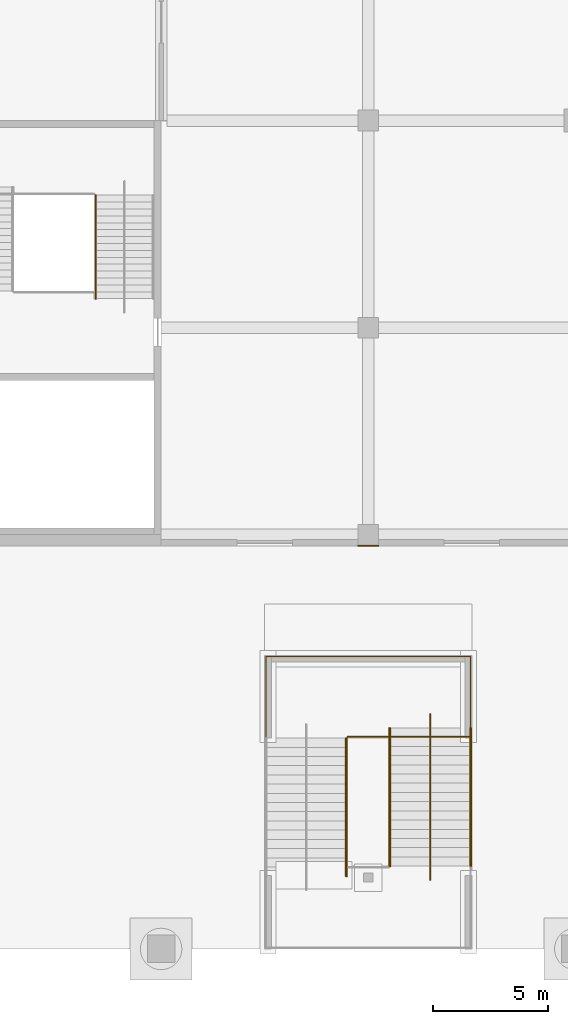
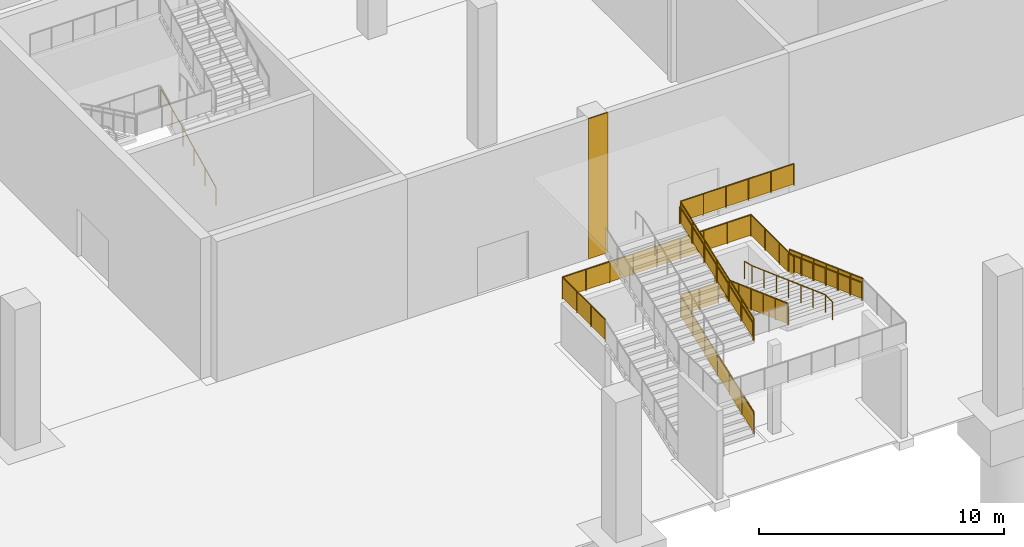
# One storey, part 52 of 92: 12 railings, 1 covering.
"""IFC4 building model written with IfcOpenShell, lengths in metres."""

from ifc_helpers import new_model, si_unit, direction, frame, origin, origin_2d, place, context, subcontext, project, spatial, polyline, circle, outline, extrude, material, layer, layer_set, type_object, element, save


model = new_model("IFC4")

# Units and contexts
model_context = context("Model", 3, precision=1e-05, world=origin(), true_north=direction((0.0, 1.0)))
body_context = subcontext(model_context, "Body", "Model", "MODEL_VIEW")
ifc_project = project(units=[si_unit("LENGTHUNIT", "METRE"), si_unit("AREAUNIT", "SQUARE_METRE"), si_unit("VOLUMEUNIT", "CUBIC_METRE"), si_unit("PLANEANGLEUNIT", "RADIAN"), si_unit("MASSUNIT", "GRAM", prefix="KILO")], contexts=[model_context])

# Site, building, storey
site_placement = place(None, origin())
site = spatial("IfcSite", under=ifc_project, at=site_placement, CompositionType="ELEMENT")
building_placement = place(site_placement, origin())
building = spatial("IfcBuilding", under=site, at=building_placement, Name="Silverbay Arena", CompositionType="ELEMENT")
storey_placement = place(building_placement, origin())
storey = spatial("IfcBuildingStorey", under=building, at=storey_placement, Name="L00", CompositionType="ELEMENT", Elevation=0.0)

# Covering
ifc_material_1 = material(Name="Aluminium composite cladding", Category="aluminium")
ifc_layer = layer(ifc_material_1, 0.050048828125)
ifc_layer_set = layer_set([ifc_layer], Name="Aluminium composite cladding")
covering_type = type_object("IfcCoveringType", Name="Column cladding 50", PredefinedType="CLADDING", material=ifc_layer_set)
covering_placement = place(storey_placement, origin())
element("IfcCovering", 1, at=covering_placement, inside=storey, type_object=covering_type, Name="South column cladding L00 46", PredefinedType="CLADDING", context=body_context, shape_type="SweptSolid", body=[
    extrude(outline(polyline([(44.550048828125, 17.5), (45.449951171875, 17.5), (45.449951171875, 17.550048828125), (44.550048828125, 17.550048828125), (44.550048828125, 17.5)])), origin(), (0.0, 0.0, 1.0), 7.0),
])

# Railings
ifc_material_2 = material(Name="Stainless steel", Category="steel")
railing_type_1 = type_object("IfcRailingType", Name="Stair guard 1100", PredefinedType="GUARDRAIL", material=ifc_material_2)
railing_1_placement = place(storey_placement, frame((44.074951171875, 3.162109375, 0.145751953125)))
element("IfcRailing", 2, at=railing_1_placement, inside=storey, type_object=railing_type_1, Name="Deck stair DS3 flight 1 guard right", PredefinedType="GUARDRAIL", context=body_context, shape_type="SweptSolid", body=[
    extrude(circle(Radius=0.02392578125, at=origin_2d()), frame((0.0, 0.0, 1.076171875), z_axis=(0.0, 0.939507356738, 0.342528723811), x_axis=(-1.0, 0.0, 0.0)), (0.0, 0.0, 1.0), 6.38623046875),
    extrude(outline(polyline([(-0.008056640625, 0.047119140625), (1.008056640625, 0.41748046875), (1.008056640625, 1.42041015625), (-0.008056640625, 1.050048828125), (-0.008056640625, 0.047119140625)])), frame((-0.0029296875, 0.0, 0.0), z_axis=(1.0, 0.0, 0.0), x_axis=(0.0, 1.0, 0.0)), (0.0, 0.0, 1.0), 0.006103515625),
    extrude(outline(polyline([(-0.008056640625, 0.41162109375), (1.008056640625, 0.781982421875), (1.008056640625, 1.78515625), (-0.008056640625, 1.41455078125), (-0.008056640625, 0.41162109375)])), frame((-0.0029296875, 1.0, 0.0), z_axis=(1.0, 0.0, 0.0), x_axis=(0.0, 1.0, 0.0)), (0.0, 0.0, 1.0), 0.006103515625),
    extrude(outline(polyline([(-0.008056640625, 0.7763671875), (1.008056640625, 1.146728515625), (1.008056640625, 2.149658203125), (-0.008056640625, 1.779296875), (-0.008056640625, 0.7763671875)])), frame((-0.0029296875, 2.0, 0.0), z_axis=(1.0, 0.0, 0.0), x_axis=(0.0, 1.0, 0.0)), (0.0, 0.0, 1.0), 0.006103515625),
    extrude(outline(polyline([(-0.008056640625, 1.140869140625), (1.008056640625, 1.51123046875), (1.008056640625, 2.51416015625), (-0.008056640625, 2.143798828125), (-0.008056640625, 1.140869140625)])), frame((-0.0029296875, 3.0, 0.0), z_axis=(1.0, 0.0, 0.0), x_axis=(0.0, 1.0, 0.0)), (0.0, 0.0, 1.0), 0.006103515625),
    extrude(outline(polyline([(-0.008056640625, 1.50537109375), (1.008056640625, 1.875732421875), (1.008056640625, 2.87890625), (-0.008056640625, 2.50830078125), (-0.008056640625, 1.50537109375)])), frame((-0.0029296875, 4.0, 0.0), z_axis=(1.0, 0.0, 0.0), x_axis=(0.0, 1.0, 0.0)), (0.0, 0.0, 1.0), 0.006103515625),
    extrude(outline(polyline([(-0.008056640625, 1.8701171875), (1.008056640625, 2.240478515625), (1.008056640625, 3.243408203125), (-0.008056640625, 2.873046875), (-0.008056640625, 1.8701171875)])), frame((-0.0029296875, 5.0, 0.0), z_axis=(1.0, 0.0, 0.0), x_axis=(0.0, 1.0, 0.0)), (0.0, 0.0, 1.0), 0.006103515625),
    extrude(circle(Radius=0.02099609375, at=origin_2d()), origin(), (0.0, 0.0, 1.0), 1.052001953125),
    extrude(circle(Radius=0.02099609375, at=origin_2d()), frame((0.0, 1.0, 0.364501953125)), (0.0, 0.0, 1.0), 1.052001953125),
    extrude(circle(Radius=0.02099609375, at=origin_2d()), frame((0.0, 2.0, 0.729248046875)), (0.0, 0.0, 1.0), 1.052001953125),
    extrude(circle(Radius=0.02099609375, at=origin_2d()), frame((0.0, 3.0, 1.09375)), (0.0, 0.0, 1.0), 1.052001953125),
    extrude(circle(Radius=0.02099609375, at=origin_2d()), frame((0.0, 4.0, 1.458251953125)), (0.0, 0.0, 1.0), 1.052001953125),
    extrude(circle(Radius=0.02099609375, at=origin_2d()), frame((0.0, 5.0, 1.822998046875)), (0.0, 0.0, 1.0), 1.052001953125),
    extrude(circle(Radius=0.02099609375, at=origin_2d()), frame((0.0, 6.0, 2.1875)), (0.0, 0.0, 1.0), 1.052001953125),
])
railing_2_placement = place(storey_placement, frame((45.925048828125, 9.60009765625, 2.479248046875)))
element("IfcRailing", 3, at=railing_2_placement, inside=storey, type_object=railing_type_1, Name="Deck stair DS3 flight 2 guard left", PredefinedType="GUARDRAIL", context=body_context, shape_type="SweptSolid", body=[
    extrude(circle(Radius=0.02392578125, at=origin_2d()), frame((0.0, 0.0, 1.076171875), z_axis=(0.0, -0.939507356738, 0.342528723811), x_axis=(1.0, 0.0, 0.0)), (0.0, 0.0, 1.0), 6.38623046875),
    extrude(outline(polyline([(-0.008056640625, 0.047119140625), (1.008056640625, 0.41748046875), (1.008056640625, 1.42041015625), (-0.008056640625, 1.050048828125), (-0.008056640625, 0.047119140625)])), frame((0.0029296875, 0.0, 0.0), z_axis=(-1.0, 0.0, 0.0), x_axis=(0.0, -1.0, 0.0)), (0.0, 0.0, 1.0), 0.006103515625),
    extrude(outline(polyline([(-0.008056640625, 0.41162109375), (1.008056640625, 0.781982421875), (1.008056640625, 1.78515625), (-0.008056640625, 1.41455078125), (-0.008056640625, 0.41162109375)])), frame((0.0029296875, -1.0, 0.0), z_axis=(-1.0, 0.0, 0.0), x_axis=(0.0, -1.0, 0.0)), (0.0, 0.0, 1.0), 0.006103515625),
    extrude(outline(polyline([(-0.008056640625, 0.7763671875), (1.008056640625, 1.146728515625), (1.008056640625, 2.149658203125), (-0.008056640625, 1.779296875), (-0.008056640625, 0.7763671875)])), frame((0.0029296875, -2.0, 0.0), z_axis=(-1.0, 0.0, 0.0), x_axis=(0.0, -1.0, 0.0)), (0.0, 0.0, 1.0), 0.006103515625),
    extrude(outline(polyline([(-0.008056640625, 1.140869140625), (1.008056640625, 1.51123046875), (1.008056640625, 2.51416015625), (-0.008056640625, 2.143798828125), (-0.008056640625, 1.140869140625)])), frame((0.0029296875, -3.0, 0.0), z_axis=(-1.0, 0.0, 0.0), x_axis=(0.0, -1.0, 0.0)), (0.0, 0.0, 1.0), 0.006103515625),
    extrude(outline(polyline([(-0.008056640625, 1.50537109375), (1.008056640625, 1.875732421875), (1.008056640625, 2.87890625), (-0.008056640625, 2.50830078125), (-0.008056640625, 1.50537109375)])), frame((0.0029296875, -4.0, 0.0), z_axis=(-1.0, 0.0, 0.0), x_axis=(0.0, -1.0, 0.0)), (0.0, 0.0, 1.0), 0.006103515625),
    extrude(outline(polyline([(-0.008056640625, 1.8701171875), (1.008056640625, 2.240478515625), (1.008056640625, 3.243408203125), (-0.008056640625, 2.873046875), (-0.008056640625, 1.8701171875)])), frame((0.0029296875, -5.0, 0.0), z_axis=(-1.0, 0.0, 0.0), x_axis=(0.0, -1.0, 0.0)), (0.0, 0.0, 1.0), 0.006103515625),
    extrude(circle(Radius=0.02099609375, at=origin_2d()), origin(), (0.0, 0.0, 1.0), 1.052001953125),
    extrude(circle(Radius=0.02099609375, at=origin_2d()), frame((0.0, -1.0, 0.364501953125)), (0.0, 0.0, 1.0), 1.052001953125),
    extrude(circle(Radius=0.02099609375, at=origin_2d()), frame((0.0, -2.0, 0.729248046875)), (0.0, 0.0, 1.0), 1.052001953125),
    extrude(circle(Radius=0.02099609375, at=origin_2d()), frame((0.0, -3.0, 1.09375)), (0.0, 0.0, 1.0), 1.052001953125),
    extrude(circle(Radius=0.02099609375, at=origin_2d()), frame((0.0, -4.0, 1.458251953125)), (0.0, 0.0, 1.0), 1.052001953125),
    extrude(circle(Radius=0.02099609375, at=origin_2d()), frame((0.0, -5.0, 1.822998046875)), (0.0, 0.0, 1.0), 1.052001953125),
    extrude(circle(Radius=0.02099609375, at=origin_2d()), frame((0.0, -6.0, 2.1875)), (0.0, 0.0, 1.0), 1.052001953125),
])
railing_3_placement = place(storey_placement, frame((49.47509765625, 9.60009765625, 2.479248046875)))
element("IfcRailing", 4, at=railing_3_placement, inside=storey, type_object=railing_type_1, Name="Deck stair DS3 flight 2 guard right", PredefinedType="GUARDRAIL", context=body_context, shape_type="SweptSolid", body=[
    extrude(circle(Radius=0.02392578125, at=origin_2d()), frame((0.0, 0.0, 1.076171875), z_axis=(0.0, -0.939507356738, 0.342528723811), x_axis=(1.0, 0.0, 0.0)), (0.0, 0.0, 1.0), 6.38623046875),
    extrude(outline(polyline([(-0.008056640625, 0.047119140625), (1.008056640625, 0.41748046875), (1.008056640625, 1.42041015625), (-0.008056640625, 1.050048828125), (-0.008056640625, 0.047119140625)])), frame((0.0029296875, 0.0, 0.0), z_axis=(-1.0, 0.0, 0.0), x_axis=(0.0, -1.0, 0.0)), (0.0, 0.0, 1.0), 0.006103515625),
    extrude(outline(polyline([(-0.008056640625, 0.41162109375), (1.008056640625, 0.781982421875), (1.008056640625, 1.78515625), (-0.008056640625, 1.41455078125), (-0.008056640625, 0.41162109375)])), frame((0.0029296875, -1.0, 0.0), z_axis=(-1.0, 0.0, 0.0), x_axis=(0.0, -1.0, 0.0)), (0.0, 0.0, 1.0), 0.006103515625),
    extrude(outline(polyline([(-0.008056640625, 0.7763671875), (1.008056640625, 1.146728515625), (1.008056640625, 2.149658203125), (-0.008056640625, 1.779296875), (-0.008056640625, 0.7763671875)])), frame((0.0029296875, -2.0, 0.0), z_axis=(-1.0, 0.0, 0.0), x_axis=(0.0, -1.0, 0.0)), (0.0, 0.0, 1.0), 0.006103515625),
    extrude(outline(polyline([(-0.008056640625, 1.140869140625), (1.008056640625, 1.51123046875), (1.008056640625, 2.51416015625), (-0.008056640625, 2.143798828125), (-0.008056640625, 1.140869140625)])), frame((0.0029296875, -3.0, 0.0), z_axis=(-1.0, 0.0, 0.0), x_axis=(0.0, -1.0, 0.0)), (0.0, 0.0, 1.0), 0.006103515625),
    extrude(outline(polyline([(-0.008056640625, 1.50537109375), (1.008056640625, 1.875732421875), (1.008056640625, 2.87890625), (-0.008056640625, 2.50830078125), (-0.008056640625, 1.50537109375)])), frame((0.0029296875, -4.0, 0.0), z_axis=(-1.0, 0.0, 0.0), x_axis=(0.0, -1.0, 0.0)), (0.0, 0.0, 1.0), 0.006103515625),
    extrude(outline(polyline([(-0.008056640625, 1.8701171875), (1.008056640625, 2.240478515625), (1.008056640625, 3.243408203125), (-0.008056640625, 2.873046875), (-0.008056640625, 1.8701171875)])), frame((0.0029296875, -5.0, 0.0), z_axis=(-1.0, 0.0, 0.0), x_axis=(0.0, -1.0, 0.0)), (0.0, 0.0, 1.0), 0.006103515625),
    extrude(circle(Radius=0.02099609375, at=origin_2d()), origin(), (0.0, 0.0, 1.0), 1.052001953125),
    extrude(circle(Radius=0.02099609375, at=origin_2d()), frame((0.0, -1.0, 0.364501953125)), (0.0, 0.0, 1.0), 1.052001953125),
    extrude(circle(Radius=0.02099609375, at=origin_2d()), frame((0.0, -2.0, 0.729248046875)), (0.0, 0.0, 1.0), 1.052001953125),
    extrude(circle(Radius=0.02099609375, at=origin_2d()), frame((0.0, -3.0, 1.09375)), (0.0, 0.0, 1.0), 1.052001953125),
    extrude(circle(Radius=0.02099609375, at=origin_2d()), frame((0.0, -4.0, 1.458251953125)), (0.0, 0.0, 1.0), 1.052001953125),
    extrude(circle(Radius=0.02099609375, at=origin_2d()), frame((0.0, -5.0, 1.822998046875)), (0.0, 0.0, 1.0), 1.052001953125),
    extrude(circle(Radius=0.02099609375, at=origin_2d()), frame((0.0, -6.0, 2.1875)), (0.0, 0.0, 1.0), 1.052001953125),
])
railing_4_placement = place(storey_placement, frame((44.074951171875, 3.162109375, 4.8125)))
element("IfcRailing", 5, at=railing_4_placement, inside=storey, type_object=railing_type_1, Name="Deck stair DS3 flight 3 guard right", PredefinedType="GUARDRAIL", context=body_context, shape_type="SweptSolid", body=[
    extrude(circle(Radius=0.02392578125, at=origin_2d()), frame((0.0, 0.0, 1.076171875), z_axis=(0.0, 0.939507356738, 0.342528723811), x_axis=(-1.0, 0.0, 0.0)), (0.0, 0.0, 1.0), 6.38623046875),
    extrude(outline(polyline([(-0.008056640625, 0.047119140625), (1.008056640625, 0.41748046875), (1.008056640625, 1.42041015625), (-0.008056640625, 1.050048828125), (-0.008056640625, 0.047119140625)])), frame((-0.0029296875, 0.0, 0.0), z_axis=(1.0, 0.0, 0.0), x_axis=(0.0, 1.0, 0.0)), (0.0, 0.0, 1.0), 0.006103515625),
    extrude(outline(polyline([(-0.008056640625, 0.41162109375), (1.008056640625, 0.781982421875), (1.008056640625, 1.78515625), (-0.008056640625, 1.41455078125), (-0.008056640625, 0.41162109375)])), frame((-0.0029296875, 1.0, 0.0), z_axis=(1.0, 0.0, 0.0), x_axis=(0.0, 1.0, 0.0)), (0.0, 0.0, 1.0), 0.006103515625),
    extrude(outline(polyline([(-0.008056640625, 0.7763671875), (1.008056640625, 1.146728515625), (1.008056640625, 2.149658203125), (-0.008056640625, 1.779296875), (-0.008056640625, 0.7763671875)])), frame((-0.0029296875, 2.0, 0.0), z_axis=(1.0, 0.0, 0.0), x_axis=(0.0, 1.0, 0.0)), (0.0, 0.0, 1.0), 0.006103515625),
    extrude(outline(polyline([(-0.008056640625, 1.140869140625), (1.008056640625, 1.51123046875), (1.008056640625, 2.51416015625), (-0.008056640625, 2.143798828125), (-0.008056640625, 1.140869140625)])), frame((-0.0029296875, 3.0, 0.0), z_axis=(1.0, 0.0, 0.0), x_axis=(0.0, 1.0, 0.0)), (0.0, 0.0, 1.0), 0.006103515625),
    extrude(outline(polyline([(-0.008056640625, 1.50537109375), (1.008056640625, 1.875732421875), (1.008056640625, 2.87890625), (-0.008056640625, 2.50830078125), (-0.008056640625, 1.50537109375)])), frame((-0.0029296875, 4.0, 0.0), z_axis=(1.0, 0.0, 0.0), x_axis=(0.0, 1.0, 0.0)), (0.0, 0.0, 1.0), 0.006103515625),
    extrude(outline(polyline([(-0.008056640625, 1.8701171875), (1.008056640625, 2.240478515625), (1.008056640625, 3.243408203125), (-0.008056640625, 2.873046875), (-0.008056640625, 1.8701171875)])), frame((-0.0029296875, 5.0, 0.0), z_axis=(1.0, 0.0, 0.0), x_axis=(0.0, 1.0, 0.0)), (0.0, 0.0, 1.0), 0.006103515625),
    extrude(circle(Radius=0.02099609375, at=origin_2d()), origin(), (0.0, 0.0, 1.0), 1.052001953125),
    extrude(circle(Radius=0.02099609375, at=origin_2d()), frame((0.0, 1.0, 0.364501953125)), (0.0, 0.0, 1.0), 1.052001953125),
    extrude(circle(Radius=0.02099609375, at=origin_2d()), frame((0.0, 2.0, 0.729248046875)), (0.0, 0.0, 1.0), 1.052001953125),
    extrude(circle(Radius=0.02099609375, at=origin_2d()), frame((0.0, 3.0, 1.09375)), (0.0, 0.0, 1.0), 1.052001953125),
    extrude(circle(Radius=0.02099609375, at=origin_2d()), frame((0.0, 4.0, 1.458251953125)), (0.0, 0.0, 1.0), 1.052001953125),
    extrude(circle(Radius=0.02099609375, at=origin_2d()), frame((0.0, 5.0, 1.822998046875)), (0.0, 0.0, 1.0), 1.052001953125),
    extrude(circle(Radius=0.02099609375, at=origin_2d()), frame((0.0, 6.0, 2.1875)), (0.0, 0.0, 1.0), 1.052001953125),
])
railing_5_placement = place(storey_placement, frame((40.550048828125, 9.212158203125, 2.333251953125)))
element("IfcRailing", 6, at=railing_5_placement, inside=storey, type_object=railing_type_1, Name="Deck stair DS3 landing 1 guard", PredefinedType="GUARDRAIL", context=body_context, shape_type="SweptSolid", body=[
    extrude(circle(Radius=0.02392578125, at=origin_2d()), frame((0.0, 0.0, 1.076171875), z_axis=(0.0, 1.0, 0.0), x_axis=(-1.0, 0.0, 0.0)), (0.0, 0.0, 1.0), 3.5),
    extrude(outline(polyline([(-0.008056640625, 0.050048828125), (1.174560546875, 0.050048828125), (1.174560546875, 1.052978515625), (-0.008056640625, 1.052978515625), (-0.008056640625, 0.050048828125)])), frame((-0.0029296875, 0.0, 0.0), z_axis=(1.0, 0.0, 0.0), x_axis=(0.0, 1.0, 0.0)), (0.0, 0.0, 1.0), 0.006103515625),
    extrude(outline(polyline([(-0.008056640625, 0.050048828125), (1.174560546875, 0.050048828125), (1.174560546875, 1.052978515625), (-0.008056640625, 1.052978515625), (-0.008056640625, 0.050048828125)])), frame((-0.0029296875, 1.166748046875, 0.0), z_axis=(1.0, 0.0, 0.0), x_axis=(0.0, 1.0, 0.0)), (0.0, 0.0, 1.0), 0.006103515625),
    extrude(outline(polyline([(-0.008056640625, 0.050048828125), (1.174560546875, 0.050048828125), (1.174560546875, 1.052978515625), (-0.008056640625, 1.052978515625), (-0.008056640625, 0.050048828125)])), frame((-0.0029296875, 2.333251953125, 0.0), z_axis=(1.0, 0.0, 0.0), x_axis=(0.0, 1.0, 0.0)), (0.0, 0.0, 1.0), 0.006103515625),
    extrude(circle(Radius=0.02392578125, at=origin_2d()), frame((0.0, 3.5, 1.076171875), z_axis=(1.0, 0.0, 0.0), x_axis=(0.0, 1.0, 0.0)), (0.0, 0.0, 1.0), 8.89990234375),
    extrude(outline(polyline([(-0.008056640625, 0.050048828125), (1.12060546875, 0.050048828125), (1.12060546875, 1.052978515625), (-0.008056640625, 1.052978515625), (-0.008056640625, 0.050048828125)])), frame((0.0, 3.5029296875, 0.0), z_axis=(0.0, -1.0, 0.0), x_axis=(1.0, 0.0, 0.0)), (0.0, 0.0, 1.0), 0.006103515625),
    extrude(outline(polyline([(-0.008056640625, 0.050048828125), (1.12060546875, 0.050048828125), (1.12060546875, 1.052978515625), (-0.008056640625, 1.052978515625), (-0.008056640625, 0.050048828125)])), frame((1.112548828125, 3.5029296875, 0.0), z_axis=(0.0, -1.0, 0.0), x_axis=(1.0, 0.0, 0.0)), (0.0, 0.0, 1.0), 0.006103515625),
    extrude(outline(polyline([(-0.008056640625, 0.050048828125), (1.12060546875, 0.050048828125), (1.12060546875, 1.052978515625), (-0.008056640625, 1.052978515625), (-0.008056640625, 0.050048828125)])), frame((2.22509765625, 3.5029296875, 0.0), z_axis=(0.0, -1.0, 0.0), x_axis=(1.0, 0.0, 0.0)), (0.0, 0.0, 1.0), 0.006103515625),
    extrude(outline(polyline([(-0.008056640625, 0.050048828125), (1.12060546875, 0.050048828125), (1.12060546875, 1.052978515625), (-0.008056640625, 1.052978515625), (-0.008056640625, 0.050048828125)])), frame((3.33740234375, 3.5029296875, 0.0), z_axis=(0.0, -1.0, 0.0), x_axis=(1.0, 0.0, 0.0)), (0.0, 0.0, 1.0), 0.006103515625),
    extrude(outline(polyline([(-0.008056640625, 0.050048828125), (1.12060546875, 0.050048828125), (1.12060546875, 1.052978515625), (-0.008056640625, 1.052978515625), (-0.008056640625, 0.050048828125)])), frame((4.449951171875, 3.5029296875, 0.0), z_axis=(0.0, -1.0, 0.0), x_axis=(1.0, 0.0, 0.0)), (0.0, 0.0, 1.0), 0.006103515625),
    extrude(outline(polyline([(-0.008056640625, 0.050048828125), (1.12060546875, 0.050048828125), (1.12060546875, 1.052978515625), (-0.008056640625, 1.052978515625), (-0.008056640625, 0.050048828125)])), frame((5.5625, 3.5029296875, 0.0), z_axis=(0.0, -1.0, 0.0), x_axis=(1.0, 0.0, 0.0)), (0.0, 0.0, 1.0), 0.006103515625),
    extrude(outline(polyline([(-0.008056640625, 0.050048828125), (1.12060546875, 0.050048828125), (1.12060546875, 1.052978515625), (-0.008056640625, 1.052978515625), (-0.008056640625, 0.050048828125)])), frame((6.6748046875, 3.5029296875, 0.0), z_axis=(0.0, -1.0, 0.0), x_axis=(1.0, 0.0, 0.0)), (0.0, 0.0, 1.0), 0.006103515625),
    extrude(outline(polyline([(-0.008056640625, 0.050048828125), (1.12060546875, 0.050048828125), (1.12060546875, 1.052978515625), (-0.008056640625, 1.052978515625), (-0.008056640625, 0.050048828125)])), frame((7.787353515625, 3.5029296875, 0.0), z_axis=(0.0, -1.0, 0.0), x_axis=(1.0, 0.0, 0.0)), (0.0, 0.0, 1.0), 0.006103515625),
    extrude(circle(Radius=0.02392578125, at=origin_2d()), frame((8.89990234375, 3.5, 1.076171875), z_axis=(0.0, -1.0, 0.0), x_axis=(1.0, 0.0, 0.0)), (0.0, 0.0, 1.0), 3.5),
    extrude(outline(polyline([(-0.008056640625, 0.050048828125), (1.174560546875, 0.050048828125), (1.174560546875, 1.052978515625), (-0.008056640625, 1.052978515625), (-0.008056640625, 0.050048828125)])), frame((8.90283203125, 3.5, 0.0), z_axis=(-1.0, 0.0, 0.0), x_axis=(0.0, -1.0, 0.0)), (0.0, 0.0, 1.0), 0.006103515625),
    extrude(outline(polyline([(-0.008056640625, 0.050048828125), (1.174560546875, 0.050048828125), (1.174560546875, 1.052978515625), (-0.008056640625, 1.052978515625), (-0.008056640625, 0.050048828125)])), frame((8.90283203125, 2.333251953125, 0.0), z_axis=(-1.0, 0.0, 0.0), x_axis=(0.0, -1.0, 0.0)), (0.0, 0.0, 1.0), 0.006103515625),
    extrude(outline(polyline([(-0.008056640625, 0.050048828125), (1.174560546875, 0.050048828125), (1.174560546875, 1.052978515625), (-0.008056640625, 1.052978515625), (-0.008056640625, 0.050048828125)])), frame((8.90283203125, 1.166748046875, 0.0), z_axis=(-1.0, 0.0, 0.0), x_axis=(0.0, -1.0, 0.0)), (0.0, 0.0, 1.0), 0.006103515625),
    extrude(circle(Radius=0.02099609375, at=origin_2d()), origin(), (0.0, 0.0, 1.0), 1.052001953125),
    extrude(circle(Radius=0.02099609375, at=origin_2d()), frame((0.0, 1.166748046875, 0.0)), (0.0, 0.0, 1.0), 1.052001953125),
    extrude(circle(Radius=0.02099609375, at=origin_2d()), frame((0.0, 2.333251953125, 0.0)), (0.0, 0.0, 1.0), 1.052001953125),
    extrude(circle(Radius=0.02099609375, at=origin_2d()), frame((0.0, 3.5, 0.0)), (0.0, 0.0, 1.0), 1.052001953125),
    extrude(circle(Radius=0.02099609375, at=origin_2d()), frame((1.112548828125, 3.5, 0.0)), (0.0, 0.0, 1.0), 1.052001953125),
    extrude(circle(Radius=0.02099609375, at=origin_2d()), frame((2.22509765625, 3.5, 0.0)), (0.0, 0.0, 1.0), 1.052001953125),
    extrude(circle(Radius=0.02099609375, at=origin_2d()), frame((3.33740234375, 3.5, 0.0)), (0.0, 0.0, 1.0), 1.052001953125),
    extrude(circle(Radius=0.02099609375, at=origin_2d()), frame((4.449951171875, 3.5, 0.0)), (0.0, 0.0, 1.0), 1.052001953125),
    extrude(circle(Radius=0.02099609375, at=origin_2d()), frame((5.5625, 3.5, 0.0)), (0.0, 0.0, 1.0), 1.052001953125),
    extrude(circle(Radius=0.02099609375, at=origin_2d()), frame((6.6748046875, 3.5, 0.0)), (0.0, 0.0, 1.0), 1.052001953125),
    extrude(circle(Radius=0.02099609375, at=origin_2d()), frame((7.787353515625, 3.5, 0.0)), (0.0, 0.0, 1.0), 1.052001953125),
    extrude(circle(Radius=0.02099609375, at=origin_2d()), frame((8.89990234375, 3.5, 0.0)), (0.0, 0.0, 1.0), 1.052001953125),
    extrude(circle(Radius=0.02099609375, at=origin_2d()), frame((8.89990234375, 2.333251953125, 0.0)), (0.0, 0.0, 1.0), 1.052001953125),
    extrude(circle(Radius=0.02099609375, at=origin_2d()), frame((8.89990234375, 1.166748046875, 0.0)), (0.0, 0.0, 1.0), 1.052001953125),
    extrude(circle(Radius=0.02099609375, at=origin_2d()), frame((8.89990234375, 0.0, 0.0)), (0.0, 0.0, 1.0), 1.052001953125),
])
railing_6_placement = place(storey_placement, frame((44.10009765625, 9.212158203125, 2.333251953125)))
element("IfcRailing", 7, at=railing_6_placement, inside=storey, type_object=railing_type_1, Name="Deck stair DS3 landing 1 guard", PredefinedType="GUARDRAIL", context=body_context, shape_type="SweptSolid", body=[
    extrude(circle(Radius=0.02392578125, at=origin_2d()), frame((0.0, 0.0, 1.076171875), z_axis=(1.0, 0.0, 0.0), x_axis=(0.0, 1.0, 0.0)), (0.0, 0.0, 1.0), 1.7998046875),
    extrude(outline(polyline([(-0.008056640625, 0.050048828125), (0.907958984375, 0.050048828125), (0.907958984375, 1.052978515625), (-0.008056640625, 1.052978515625), (-0.008056640625, 0.050048828125)])), frame((0.0, 0.0029296875, 0.0), z_axis=(0.0, -1.0, 0.0), x_axis=(1.0, 0.0, 0.0)), (0.0, 0.0, 1.0), 0.006103515625),
    extrude(outline(polyline([(-0.008056640625, 0.050048828125), (0.907958984375, 0.050048828125), (0.907958984375, 1.052978515625), (-0.008056640625, 1.052978515625), (-0.008056640625, 0.050048828125)])), frame((0.89990234375, 0.0029296875, 0.0), z_axis=(0.0, -1.0, 0.0), x_axis=(1.0, 0.0, 0.0)), (0.0, 0.0, 1.0), 0.006103515625),
    extrude(circle(Radius=0.02099609375, at=origin_2d()), origin(), (0.0, 0.0, 1.0), 1.052001953125),
    extrude(circle(Radius=0.02099609375, at=origin_2d()), frame((0.89990234375, 0.0, 0.0)), (0.0, 0.0, 1.0), 1.052001953125),
    extrude(circle(Radius=0.02099609375, at=origin_2d()), frame((1.7998046875, 0.0, 0.0)), (0.0, 0.0, 1.0), 1.052001953125),
])
railing_7_placement = place(storey_placement, frame((44.10009765625, 9.212158203125, 7.0)))
element("IfcRailing", 8, at=railing_7_placement, inside=storey, type_object=railing_type_1, Name="Deck stair DS3 landing 3 guard", PredefinedType="GUARDRAIL", context=body_context, shape_type="SweptSolid", body=[
    extrude(circle(Radius=0.02392578125, at=origin_2d()), frame((0.0, 0.0, 1.076171875), z_axis=(1.0, 0.0, 0.0), x_axis=(0.0, 1.0, 0.0)), (0.0, 0.0, 1.0), 5.349853515625),
    extrude(outline(polyline([(-0.008056640625, 0.050048828125), (1.077880859375, 0.050048828125), (1.077880859375, 1.052978515625), (-0.008056640625, 1.052978515625), (-0.008056640625, 0.050048828125)])), frame((0.0, 0.0029296875, 0.0), z_axis=(0.0, -1.0, 0.0), x_axis=(1.0, 0.0, 0.0)), (0.0, 0.0, 1.0), 0.006103515625),
    extrude(outline(polyline([(-0.008056640625, 0.050048828125), (1.077880859375, 0.050048828125), (1.077880859375, 1.052978515625), (-0.008056640625, 1.052978515625), (-0.008056640625, 0.050048828125)])), frame((1.070068359375, 0.0029296875, 0.0), z_axis=(0.0, -1.0, 0.0), x_axis=(1.0, 0.0, 0.0)), (0.0, 0.0, 1.0), 0.006103515625),
    extrude(outline(polyline([(-0.008056640625, 0.050048828125), (1.077880859375, 0.050048828125), (1.077880859375, 1.052978515625), (-0.008056640625, 1.052978515625), (-0.008056640625, 0.050048828125)])), frame((2.139892578125, 0.0029296875, 0.0), z_axis=(0.0, -1.0, 0.0), x_axis=(1.0, 0.0, 0.0)), (0.0, 0.0, 1.0), 0.006103515625),
    extrude(outline(polyline([(-0.008056640625, 0.050048828125), (1.077880859375, 0.050048828125), (1.077880859375, 1.052978515625), (-0.008056640625, 1.052978515625), (-0.008056640625, 0.050048828125)])), frame((3.2099609375, 0.0029296875, 0.0), z_axis=(0.0, -1.0, 0.0), x_axis=(1.0, 0.0, 0.0)), (0.0, 0.0, 1.0), 0.006103515625),
    extrude(outline(polyline([(-0.008056640625, 0.050048828125), (1.077880859375, 0.050048828125), (1.077880859375, 1.052978515625), (-0.008056640625, 1.052978515625), (-0.008056640625, 0.050048828125)])), frame((4.27978515625, 0.0029296875, 0.0), z_axis=(0.0, -1.0, 0.0), x_axis=(1.0, 0.0, 0.0)), (0.0, 0.0, 1.0), 0.006103515625),
    extrude(circle(Radius=0.02099609375, at=origin_2d()), origin(), (0.0, 0.0, 1.0), 1.052001953125),
    extrude(circle(Radius=0.02099609375, at=origin_2d()), frame((1.070068359375, 0.0, 0.0)), (0.0, 0.0, 1.0), 1.052001953125),
    extrude(circle(Radius=0.02099609375, at=origin_2d()), frame((2.139892578125, 0.0, 0.0)), (0.0, 0.0, 1.0), 1.052001953125),
    extrude(circle(Radius=0.02099609375, at=origin_2d()), frame((3.2099609375, 0.0, 0.0)), (0.0, 0.0, 1.0), 1.052001953125),
    extrude(circle(Radius=0.02099609375, at=origin_2d()), frame((4.27978515625, 0.0, 0.0)), (0.0, 0.0, 1.0), 1.052001953125),
    extrude(circle(Radius=0.02099609375, at=origin_2d()), frame((5.349853515625, 0.0, 0.0)), (0.0, 0.0, 1.0), 1.052001953125),
])
ifc_material_3 = material(Name="Stainless steel", Category="steel")
railing_type_2 = type_object("IfcRailingType", Name="Stair handrail 900", PredefinedType="HANDRAIL", material=ifc_material_3)
railing_8_placement = place(storey_placement, frame((33.1640625, 28.2568359375, 0.145751953125)))
element("IfcRailing", 9, at=railing_8_placement, inside=storey, type_object=railing_type_2, Name="Stair ST-WG1 L00 to L01 flight 1 handrail right", PredefinedType="HANDRAIL", context=body_context, shape_type="SweptSolid", body=[
    extrude(circle(Radius=0.02392578125, at=origin_2d()), frame((0.0, 0.0, 0.8759765625), z_axis=(0.0, 0.899367854138, 0.437192706873), x_axis=(-1.0, 0.0, 0.0)), (0.0, 0.0, 1.0), 5.00341796875),
    extrude(circle(Radius=0.02099609375, at=origin_2d()), origin(), (0.0, 0.0, 1.0), 0.851806640625),
    extrude(circle(Radius=0.02099609375, at=origin_2d()), frame((0.0, 0.89990234375, 0.4375)), (0.0, 0.0, 1.0), 0.851806640625),
    extrude(circle(Radius=0.02099609375, at=origin_2d()), frame((0.0, 1.800048828125, 0.875)), (0.0, 0.0, 1.0), 0.851806640625),
    extrude(circle(Radius=0.02099609375, at=origin_2d()), frame((0.0, 2.699951171875, 1.3125)), (0.0, 0.0, 1.0), 0.851806640625),
    extrude(circle(Radius=0.02099609375, at=origin_2d()), frame((0.0, 3.60009765625, 1.75)), (0.0, 0.0, 1.0), 0.851806640625),
    extrude(circle(Radius=0.02099609375, at=origin_2d()), frame((0.0, 4.5, 2.1875)), (0.0, 0.0, 1.0), 0.851806640625),
])
for number, where, name in (
    (10, (45.964111328125, 9.60009765625, 2.479248046875), "Deck stair DS3 flight 2 handrail left"),
    (11, (49.43603515625, 9.60009765625, 2.479248046875), "Deck stair DS3 flight 2 handrail right"),
):
    element("IfcRailing", number, at=place(storey_placement, frame(where)), inside=storey, type_object=railing_type_2, Name=name, PredefinedType="HANDRAIL", context=body_context, shape_type="SweptSolid", body=[
        extrude(circle(Radius=0.02392578125, at=origin_2d()), frame((0.0, 0.0, 0.8759765625), z_axis=(0.0, -0.939507356738, 0.342528723811), x_axis=(1.0, 0.0, 0.0)), (0.0, 0.0, 1.0), 6.38623046875),
        extrude(circle(Radius=0.02099609375, at=origin_2d()), origin(), (0.0, 0.0, 1.0), 0.851806640625),
        extrude(circle(Radius=0.02099609375, at=origin_2d()), frame((0.0, -1.0, 0.364501953125)), (0.0, 0.0, 1.0), 0.851806640625),
        extrude(circle(Radius=0.02099609375, at=origin_2d()), frame((0.0, -2.0, 0.729248046875)), (0.0, 0.0, 1.0), 0.851806640625),
        extrude(circle(Radius=0.02099609375, at=origin_2d()), frame((0.0, -3.0, 1.09375)), (0.0, 0.0, 1.0), 0.851806640625),
        extrude(circle(Radius=0.02099609375, at=origin_2d()), frame((0.0, -4.0, 1.458251953125)), (0.0, 0.0, 1.0), 0.851806640625),
        extrude(circle(Radius=0.02099609375, at=origin_2d()), frame((0.0, -5.0, 1.822998046875)), (0.0, 0.0, 1.0), 0.851806640625),
        extrude(circle(Radius=0.02099609375, at=origin_2d()), frame((0.0, -6.0, 2.1875)), (0.0, 0.0, 1.0), 0.851806640625),
    ])
railing_9_placement = place(storey_placement, frame((47.699951171875, 10.199951171875, 2.333251953125)))
element("IfcRailing", 12, at=railing_9_placement, inside=storey, type_object=railing_type_2, Name="Deck stair DS3 flight 2 central handrail", PredefinedType="HANDRAIL", context=body_context, shape_type="SweptSolid", body=[
    extrude(circle(Radius=0.02392578125, at=origin_2d()), frame((0.0, 0.0, 0.8759765625), z_axis=(0.0, -0.971635685089, 0.236482759334), x_axis=(1.0, 0.0, 0.0)), (0.0, 0.0, 1.0), 0.617431640625),
    extrude(circle(Radius=0.02392578125, at=origin_2d()), frame((0.0, -0.599853515625, 1.02197265625), z_axis=(0.0, -0.939507356738, 0.342528723811), x_axis=(1.0, 0.0, 0.0)), (0.0, 0.0, 1.0), 6.38623046875),
    extrude(circle(Radius=0.02392578125, at=origin_2d()), frame((0.0, -6.599853515625, 3.20947265625), z_axis=(0.0, -1.0, 0.0), x_axis=(1.0, 0.0, 0.0)), (0.0, 0.0, 1.0), 0.60009765625),
    extrude(circle(Radius=0.02099609375, at=origin_2d()), origin(), (0.0, 0.0, 1.0), 0.851806640625),
    extrude(circle(Radius=0.02099609375, at=origin_2d()), frame((0.0, -0.599853515625, 0.14599609375)), (0.0, 0.0, 1.0), 0.851806640625),
    extrude(circle(Radius=0.02099609375, at=origin_2d()), frame((0.0, -1.599853515625, 0.510498046875)), (0.0, 0.0, 1.0), 0.851806640625),
    extrude(circle(Radius=0.02099609375, at=origin_2d()), frame((0.0, -2.599853515625, 0.875244140625)), (0.0, 0.0, 1.0), 0.851806640625),
    extrude(circle(Radius=0.02099609375, at=origin_2d()), frame((0.0, -3.599853515625, 1.23974609375)), (0.0, 0.0, 1.0), 0.851806640625),
    extrude(circle(Radius=0.02099609375, at=origin_2d()), frame((0.0, -4.599853515625, 1.604248046875)), (0.0, 0.0, 1.0), 0.851806640625),
    extrude(circle(Radius=0.02099609375, at=origin_2d()), frame((0.0, -5.599853515625, 1.968994140625)), (0.0, 0.0, 1.0), 0.851806640625),
    extrude(circle(Radius=0.02099609375, at=origin_2d()), frame((0.0, -6.599853515625, 2.33349609375)), (0.0, 0.0, 1.0), 0.851806640625),
    extrude(circle(Radius=0.02099609375, at=origin_2d()), frame((0.0, -7.199951171875, 2.33349609375)), (0.0, 0.0, 1.0), 0.851806640625),
])
railing_10_placement = place(storey_placement, frame((44.035888671875, 3.162109375, 4.8125)))
element("IfcRailing", 13, at=railing_10_placement, inside=storey, type_object=railing_type_2, Name="Deck stair DS3 flight 3 handrail right", PredefinedType="HANDRAIL", context=body_context, shape_type="SweptSolid", body=[
    extrude(circle(Radius=0.02392578125, at=origin_2d()), frame((0.0, 0.0, 0.8759765625), z_axis=(0.0, 0.939507356738, 0.342528723811), x_axis=(-1.0, 0.0, 0.0)), (0.0, 0.0, 1.0), 6.38623046875),
    extrude(circle(Radius=0.02099609375, at=origin_2d()), origin(), (0.0, 0.0, 1.0), 0.851806640625),
    extrude(circle(Radius=0.02099609375, at=origin_2d()), frame((0.0, 1.0, 0.364501953125)), (0.0, 0.0, 1.0), 0.851806640625),
    extrude(circle(Radius=0.02099609375, at=origin_2d()), frame((0.0, 2.0, 0.729248046875)), (0.0, 0.0, 1.0), 0.851806640625),
    extrude(circle(Radius=0.02099609375, at=origin_2d()), frame((0.0, 3.0, 1.09375)), (0.0, 0.0, 1.0), 0.851806640625),
    extrude(circle(Radius=0.02099609375, at=origin_2d()), frame((0.0, 4.0, 1.458251953125)), (0.0, 0.0, 1.0), 0.851806640625),
    extrude(circle(Radius=0.02099609375, at=origin_2d()), frame((0.0, 5.0, 1.822998046875)), (0.0, 0.0, 1.0), 0.851806640625),
    extrude(circle(Radius=0.02099609375, at=origin_2d()), frame((0.0, 6.0, 2.1875)), (0.0, 0.0, 1.0), 0.851806640625),
])

save(model, "model.ifc")
